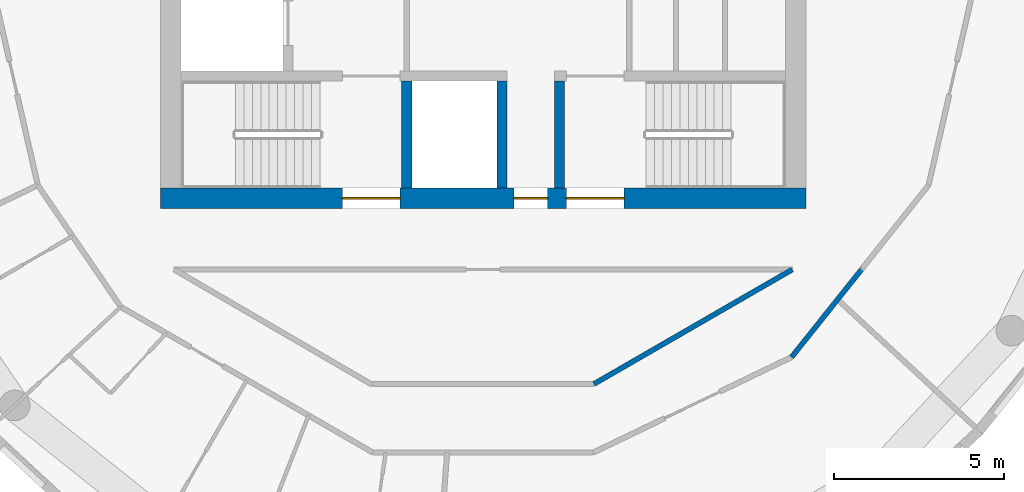
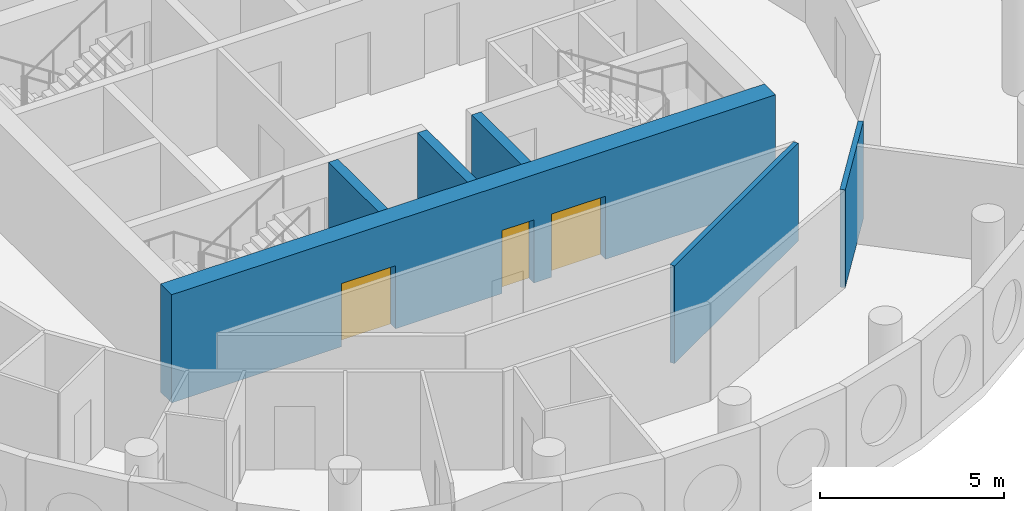
# One storey, part 3 of 12: 6 walls, 3 doors, 3 openings.
"""IFC4 building model written with IfcOpenShell, lengths in metres."""

from ifc_helpers import new_model, si_unit, direction, frame, frame_2d, origin, place, context, subcontext, project, spatial, rectangle, extrude, material, layer, layer_set, type_object, element, fill, save


model = new_model("IFC4")

# Units and contexts
model_context = context("Model", 3, precision=1e-05, world=origin(), true_north=direction((0.0, 1.0)))
body_context = subcontext(model_context, "Body", "Model", "MODEL_VIEW")
ifc_project = project(units=[si_unit("LENGTHUNIT", "METRE"), si_unit("AREAUNIT", "SQUARE_METRE"), si_unit("VOLUMEUNIT", "CUBIC_METRE"), si_unit("PLANEANGLEUNIT", "RADIAN"), si_unit("MASSUNIT", "GRAM", prefix="KILO")], contexts=[model_context])

# Site, building, storey
site_placement = place(None, origin())
site = spatial("IfcSite", under=ifc_project, at=site_placement, CompositionType="ELEMENT")
building_placement = place(site_placement, origin())
building = spatial("IfcBuilding", under=site, at=building_placement, Name="Tracery Tower", CompositionType="ELEMENT")
storey_placement = place(building_placement, frame((0.0, 0.0, 327.0)))
storey = spatial("IfcBuildingStorey", under=building, at=storey_placement, Name="L85", CompositionType="ELEMENT", Elevation=327.0)

# Wall, openings, doors
ifc_material_1 = material(Name="Concrete C40/50", Category="concrete")
ifc_layer_1 = layer(ifc_material_1, 0.60009765625)
ifc_layer_set_1 = layer_set([ifc_layer_1], Name="Core wall 600 C40")
wall_type_1 = type_object("IfcWallType", Name="Core wall 600 C40", PredefinedType="SOLIDWALL", material=ifc_layer_set_1)
wall_1_placement = place(storey_placement, frame((-9.5, -6.699951171875, 0.0), z_axis=(0.0, 0.0, 1.0), x_axis=(1.0, 0.0, 0.0)))
wall_1 = element("IfcWall", 1, at=wall_1_placement, inside=storey, type_object=wall_type_1, Name="L85 outer S", PredefinedType="SOLIDWALL", context=body_context, shape_type="SweptSolid", body=[
    extrude(rectangle(XDim=19.0, YDim=0.60009765625, at=frame_2d((9.5, 0.0))), origin(), (0.0, 0.0, 1.0), 3.60009765625),
])
opening_1_placement = place(wall_1_placement, frame((10.39990234375, 0.0, 0.0)))
opening_1 = element("IfcOpeningElement", 2, at=opening_1_placement, cuts=wall_1, Name="Opening KD16", PredefinedType="OPENING", context=body_context, shape_type="SweptSolid", body=[
    extrude(rectangle(XDim=1.0, YDim=2.10009765625, at=frame_2d((0.5, 1.050048828125))), frame((0.0, 0.300048828125, 0.0), z_axis=(0.0, -1.0, 0.0), x_axis=(1.0, 0.0, 0.0)), (0.0, 0.0, 1.0), 0.60009765625),
])
opening_2_placement = place(wall_1_placement, frame((5.35009765625, 0.0, 0.0)))
opening_2 = element("IfcOpeningElement", 3, at=opening_2_placement, cuts=wall_1, Name="Opening KD3", PredefinedType="OPENING", context=body_context, shape_type="SweptSolid", body=[
    extrude(rectangle(XDim=1.699951171875, YDim=2.10009765625, at=frame_2d((0.85009765625, 1.050048828125))), frame((0.0, 0.300048828125, 0.0), z_axis=(0.0, -1.0, 0.0), x_axis=(1.0, 0.0, 0.0)), (0.0, 0.0, 1.0), 0.60009765625),
])
opening_3_placement = place(wall_1_placement, frame((11.949951171875, 0.0, 0.0)))
opening_3 = element("IfcOpeningElement", 4, at=opening_3_placement, cuts=wall_1, Name="Opening KD3", PredefinedType="OPENING", context=body_context, shape_type="SweptSolid", body=[
    extrude(rectangle(XDim=1.699951171875, YDim=2.10009765625, at=frame_2d((0.85009765625, 1.050048828125))), frame((0.0, 0.300048828125, 0.0), z_axis=(0.0, -1.0, 0.0), x_axis=(1.0, 0.0, 0.0)), (0.0, 0.0, 1.0), 0.60009765625),
])
ifc_material_2 = material(Name="Steel fire door", Category="steel")
door_type_1 = type_object("IfcDoorType", Name="Core exit door 1000", OperationType="NOTDEFINED", PredefinedType="DOOR", material=ifc_material_2)
door_1_placement = place(opening_1_placement, origin())
door_1 = element("IfcDoor", 5, at=door_1_placement, inside=storey, type_object=door_type_1, Name="Core exit door", OperationType="SINGLE_SWING_LEFT", OverallHeight=2.10009765625, OverallWidth=1.0, PredefinedType="DOOR", context=body_context, shape_type="SweptSolid", body=[
    extrude(rectangle(XDim=1.0, YDim=2.10009765625, at=frame_2d((0.5, 1.050048828125))), frame((0.0, 0.02490234375, 0.0), z_axis=(0.0, -1.0, 0.0), x_axis=(1.0, 0.0, 0.0)), (0.0, 0.0, 1.0), 0.050048828125),
])
fill(opening_1, door_1)
ifc_material_3 = material(Name="Steel fire door", Category="steel")
door_type_2 = type_object("IfcDoorType", Name="Core stair door 1700 double", OperationType="NOTDEFINED", PredefinedType="DOOR", material=ifc_material_3)
door_2_placement = place(opening_2_placement, origin())
door_2 = element("IfcDoor", 6, at=door_2_placement, inside=storey, type_object=door_type_2, Name="Stair door ST1 exit", OperationType="DOUBLE_DOOR_SINGLE_SWING", OverallHeight=2.10009765625, OverallWidth=1.699951171875, PredefinedType="DOOR", context=body_context, shape_type="SweptSolid", body=[
    extrude(rectangle(XDim=1.699951171875, YDim=2.10009765625, at=frame_2d((0.85009765625, 1.050048828125))), frame((0.0, 0.02490234375, 0.0), z_axis=(0.0, -1.0, 0.0), x_axis=(1.0, 0.0, 0.0)), (0.0, 0.0, 1.0), 0.050048828125),
])
fill(opening_2, door_2)
door_3_placement = place(opening_3_placement, origin())
door_3 = element("IfcDoor", 7, at=door_3_placement, inside=storey, type_object=door_type_2, Name="Stair door ST2 exit", OperationType="DOUBLE_DOOR_SINGLE_SWING", OverallHeight=2.10009765625, OverallWidth=1.699951171875, PredefinedType="DOOR", context=body_context, shape_type="SweptSolid", body=[
    extrude(rectangle(XDim=1.699951171875, YDim=2.10009765625, at=frame_2d((0.85009765625, 1.050048828125))), frame((0.0, 0.02490234375, 0.0), z_axis=(0.0, -1.0, 0.0), x_axis=(1.0, 0.0, 0.0)), (0.0, 0.0, 1.0), 0.050048828125),
])
fill(opening_3, door_3)

# Walls
ifc_material_4 = material(Name="Plasterboard on steel studs", Category="steel")
ifc_layer_2 = layer(ifc_material_4, 0.14990234375)
ifc_layer_set_2 = layer_set([ifc_layer_2], Name="Partition 150 corridor wall")
wall_type_2 = type_object("IfcWallType", Name="Partition 150 corridor wall", PredefinedType="PARTITIONING", material=ifc_layer_set_2)
wall_2_placement = place(storey_placement, frame((9.07763671875, -11.38232421875, 0.0), z_axis=(0.0, 0.0, 1.0), x_axis=(0.624018330412, 0.781409702595, 0.0)))
element("IfcWall", 8, at=wall_2_placement, inside=storey, type_object=wall_type_2, Name="Corridor wall RC10-013", PredefinedType="PARTITIONING", context=body_context, shape_type="SweptSolid", body=[
    extrude(rectangle(XDim=3.30078125, YDim=0.14990234375, at=frame_2d((1.650390625, 0.0))), origin(), (0.0, 0.0, 1.0), 3.25),
])
wall_3_placement = place(storey_placement, frame((3.260986328125, -12.1708984375, 0.0), z_axis=(0.0, 0.0, 1.0), x_axis=(0.866066809554, 0.499928276245, 0.0)))
element("IfcWall", 9, at=wall_3_placement, inside=storey, type_object=wall_type_2, Name="Corridor wall RC10-036", PredefinedType="PARTITIONING", context=body_context, shape_type="SweptSolid", body=[
    extrude(rectangle(XDim=6.74267578125, YDim=0.14990234375, at=frame_2d((3.371337890625, 0.0))), origin(), (0.0, 0.0, 1.0), 3.25),
])
ifc_material_5 = material(Name="Concrete C40/50", Category="concrete")
ifc_layer_3 = layer(ifc_material_5, 0.300048828125)
ifc_layer_set_3 = layer_set([ifc_layer_3], Name="Shaft wall 300 C40")
wall_type_3 = type_object("IfcWallType", Name="Shaft wall 300 C40", PredefinedType="SOLIDWALL", material=ifc_layer_set_3)
wall_4_placement = place(storey_placement, frame((0.550048828125, -6.39990234375, 0.0), z_axis=(0.0, 0.0, 1.0), x_axis=(0.0, 1.0, 0.0)))
element("IfcWall", 10, at=wall_4_placement, inside=storey, type_object=wall_type_3, Name="L85 OB2 E", PredefinedType="SOLIDWALL", context=body_context, shape_type="SweptSolid", body=[
    extrude(rectangle(XDim=3.14990234375, YDim=0.300048828125, at=frame_2d((1.574951171875, 0.0))), origin(), (0.0, 0.0, 1.0), 3.25),
])
ifc_material_6 = material(Name="Concrete C40/50", Category="concrete")
ifc_layer_4 = layer(ifc_material_6, 0.300048828125)
ifc_layer_set_4 = layer_set([ifc_layer_4], Name="Stair wall 300 C40")
wall_type_4 = type_object("IfcWallType", Name="Stair wall 300 C40", PredefinedType="SOLIDWALL", material=ifc_layer_set_4)
for number, where, z_axis, x_axis, name in (
    (11, (-2.25, -6.39990234375, 0.0), (0.0, 0.0, 1.0), (0.0, 1.0, 0.0), "L85 ST1 E"),
    (12, (2.25, -6.39990234375, 0.0), (0.0, 0.0, 1.0), (0.0, 1.0, 0.0), "L85 ST2 W"),
):
    element("IfcWall", number, at=place(storey_placement, frame(where, z_axis=z_axis, x_axis=x_axis)), inside=storey, type_object=wall_type_4, Name=name, PredefinedType="SOLIDWALL", context=body_context, shape_type="SweptSolid", body=[
        extrude(rectangle(XDim=3.14990234375, YDim=0.300048828125, at=frame_2d((1.574951171875, 0.0))), origin(), (0.0, 0.0, 1.0), 3.25),
    ])

save(model, "model.ifc")
